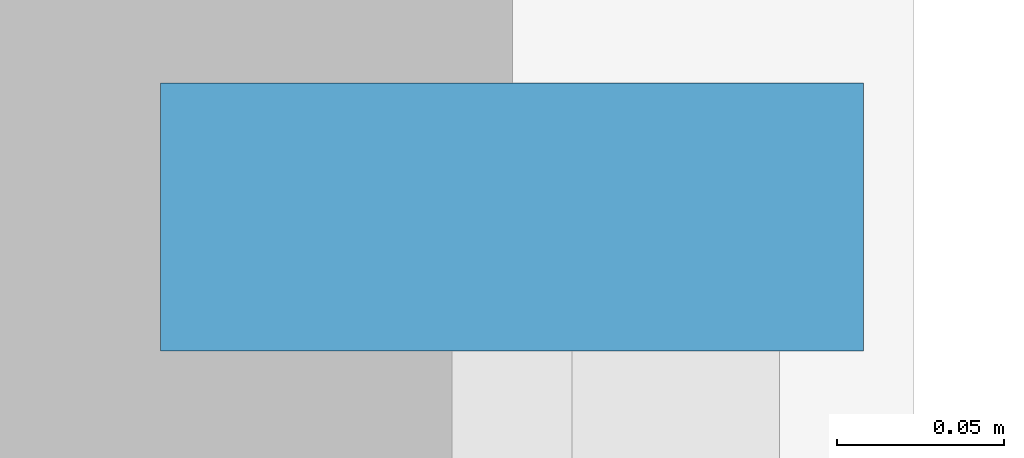
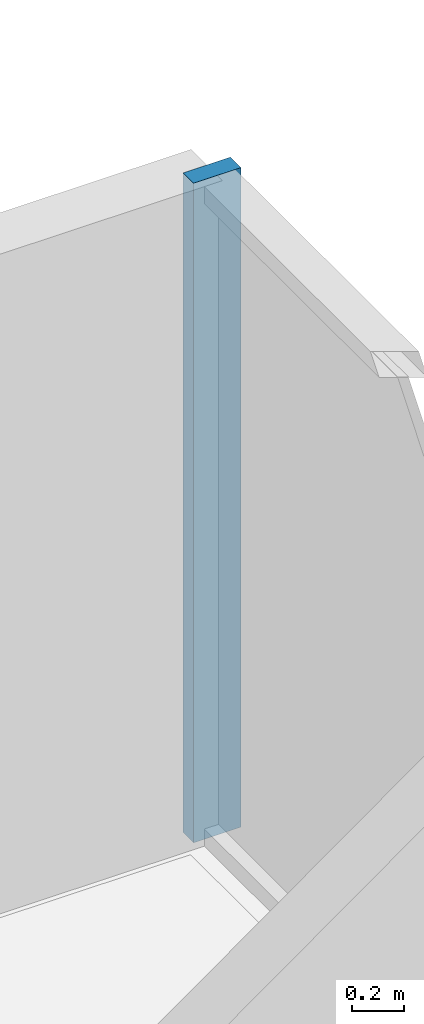
# One storey, part 5 of 12: 1 member, 1 element without a shape of its own.
"""IFC4 building model written with IfcOpenShell, lengths in metres."""

from ifc_helpers import new_model, si_unit, direction, frame, origin, origin_2d, place, context, subcontext, project, spatial, rectangle, extrude, source, transform, mapped, material, layer, layer_set, material_profile, profile_set, type_object, element, aggregate, save


model = new_model("IFC4")

# Units and contexts
model_context = context("Model", 3, precision=1e-05, world=origin(), true_north=direction((0.0, 1.0)))
body_context = subcontext(model_context, "Body", "Model", "MODEL_VIEW")
ifc_project = project(units=[si_unit("LENGTHUNIT", "METRE"), si_unit("AREAUNIT", "SQUARE_METRE"), si_unit("VOLUMEUNIT", "CUBIC_METRE"), si_unit("PLANEANGLEUNIT", "RADIAN"), si_unit("MASSUNIT", "GRAM", prefix="KILO")], contexts=[model_context])

# Site, building, storey
site_placement = place(None, origin())
site = spatial("IfcSite", under=ifc_project, at=site_placement, CompositionType="ELEMENT")
building_placement = place(site_placement, origin())
building = spatial("IfcBuilding", under=site, at=building_placement, Name="Qianlan Lanfeng Residences", CompositionType="ELEMENT")
storey_placement = place(building_placement, frame((0.0, 0.0, 27.5)))
storey = spatial("IfcBuildingStorey", under=building, at=storey_placement, Name="L06", CompositionType="ELEMENT", Elevation=27.5)

# Curtain wall, member
ifc_material = material(Name="Anodised Bronze Aluminium 6063-T6", Category="aluminium")
ifc_layer = layer(ifc_material, 0.219970703125)
ifc_layer_set = layer_set([ifc_layer], Name="Anodised Bronze Aluminium 6063-T6")
curtain_wall_type = type_object("IfcCurtainWallType", Name="CW-02", PredefinedType="NOTDEFINED", material=ifc_layer_set)
curtain_wall_placement = place(storey_placement, origin())
curtain_wall = element("IfcCurtainWall", 1, at=curtain_wall_placement, inside=storey, type_object=curtain_wall_type, Name="L06 Unitised Curtain Wall CWR-L06-05 (CW-02)", PredefinedType="NOTDEFINED")
ifc_material_profile = material_profile(ifc_material, rectangle(XDim=0.080078125, YDim=0.2099609375, at=origin_2d()), Name="ALU MULLION 80x210")
ifc_profile_set = profile_set([ifc_material_profile], Name="Anodised Bronze Aluminium 6063-T6")
member_type = type_object("IfcMemberType", Name="CWM-220", PredefinedType="MULLION", material=ifc_profile_set)
shared_shape = source(origin(), body_context, "Body", "SweptSolid", [
    extrude(rectangle(XDim=0.080078125, YDim=0.2099609375, at=origin_2d()), origin(), (0.0, 0.0, 1.0), 3.080078125),
])
member_placement = place(storey_placement, frame((52.8798828125, 34.889892578125, 0.0), z_axis=(0.0, 0.0, 1.0), x_axis=(0.0, 1.0, 0.0)))
member = element("IfcMember", 2, at=member_placement, type_object=member_type, Name="CWR-L06-05 Mullion 3", PredefinedType="MULLION", context=body_context, shape_type="MappedRepresentation", body=[
    mapped(shared_shape, transform((0.0, 0.0, 0.0), scale=1.0)),
])
aggregate(curtain_wall, [member])

save(model, "model.ifc")
